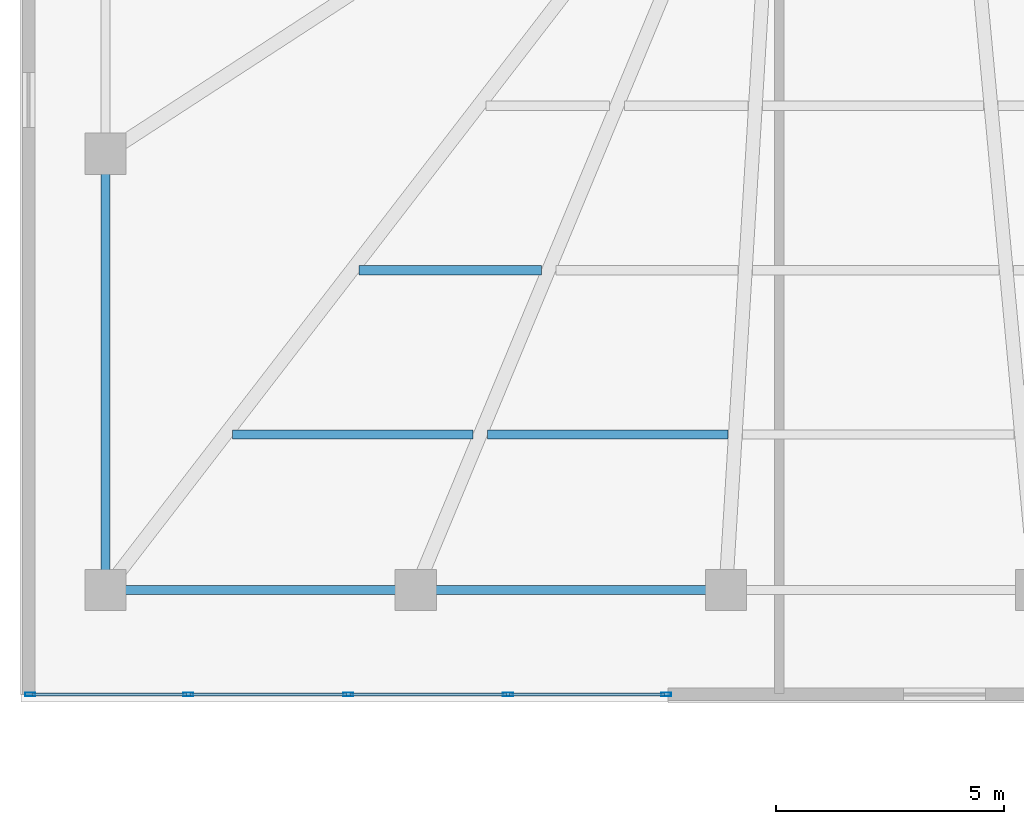
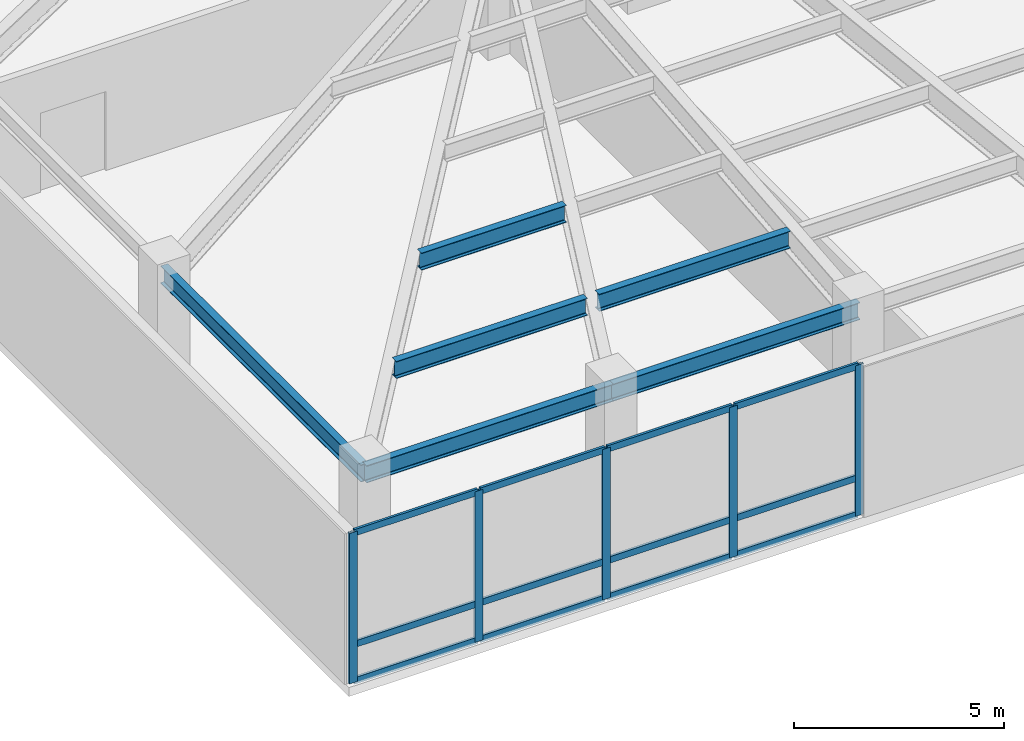
# One storey, part 2 of 15: 17 members, 6 beams, 1 element without a shape of its own.
"""IFC4 building model written with IfcOpenShell, lengths in metres."""

from ifc_helpers import new_model, si_unit, direction, frame, origin, origin_2d, place, context, subcontext, project, spatial, hollow_rectangle, i_section, extrude, material, material_profile, profile_set, type_object, element, aggregate, save


model = new_model("IFC4")

# Units and contexts
model_context = context("Model", 3, precision=1e-05, world=origin(), true_north=direction((0.0, 1.0)))
body_context = subcontext(model_context, "Body", "Model", "MODEL_VIEW")
ifc_project = project(units=[si_unit("LENGTHUNIT", "METRE"), si_unit("AREAUNIT", "SQUARE_METRE"), si_unit("VOLUMEUNIT", "CUBIC_METRE"), si_unit("PLANEANGLEUNIT", "RADIAN"), si_unit("MASSUNIT", "GRAM", prefix="KILO")], contexts=[model_context])

# Site, building, storey
site_placement = place(None, origin())
site = spatial("IfcSite", under=ifc_project, at=site_placement, CompositionType="ELEMENT")
building_placement = place(site_placement, origin())
building = spatial("IfcBuilding", under=site, at=building_placement, Name="Yelkora Congress Tower", CompositionType="ELEMENT")
storey_placement = place(building_placement, frame((0.0, 0.0, 20.39990234375)))
storey = spatial("IfcBuildingStorey", under=building, at=storey_placement, Name="L04", CompositionType="ELEMENT", Elevation=20.39990234375)

# Beams
ifc_material_1 = material(Name="Steel S355J2", Category="steel")
ifc_material_profile_1 = material_profile(ifc_material_1, i_section(OverallWidth=0.199951171875, OverallDepth=0.5, WebThickness=0.01025390625, FlangeThickness=0.01611328125, FilletRadius=0.02099609375, at=origin_2d()), Name="IPE 500")
ifc_profile_set_1 = profile_set([ifc_material_profile_1], Name="Steel S355J2")
beam_type_1 = type_object("IfcBeamType", Name="BM-JOIST-IPE500", PredefinedType="JOIST", material=ifc_profile_set_1)
beam_1_placement = place(storey_placement, frame((7.228759765625, 9.449951171875, 4.130126953125), z_axis=(1.0, 0.0, 0.0), x_axis=(0.0, 1.0, 0.0)))
element("IfcBeam", 1, at=beam_1_placement, inside=storey, type_object=beam_type_1, Name="L04 Composite Floor Joist 1", PredefinedType="JOIST", context=body_context, shape_type="SweptSolid", body=[
    extrude(i_section(OverallWidth=0.199951171875, OverallDepth=0.5, WebThickness=0.01025390625, FlangeThickness=0.01611328125, FilletRadius=0.02099609375, at=origin_2d()), origin(), (0.0, 0.0, 1.0), 5.2646484375),
])
beam_2_placement = place(storey_placement, frame((12.813232421875, 9.449951171875, 4.130126953125), z_axis=(1.0, 0.0, 0.0), x_axis=(0.0, 1.0, 0.0)))
element("IfcBeam", 2, at=beam_2_placement, inside=storey, type_object=beam_type_1, Name="L04 Composite Floor Joist 2", PredefinedType="JOIST", context=body_context, shape_type="SweptSolid", body=[
    extrude(i_section(OverallWidth=0.199951171875, OverallDepth=0.5, WebThickness=0.01025390625, FlangeThickness=0.01611328125, FilletRadius=0.02099609375, at=origin_2d()), origin(), (0.0, 0.0, 1.0), 5.264404296875),
])
beam_3_placement = place(storey_placement, frame((10.001708984375, 13.050048828125, 4.130126953125), z_axis=(1.0, 0.0, 0.0), x_axis=(0.0, 1.0, 0.0)))
element("IfcBeam", 3, at=beam_3_placement, inside=storey, type_object=beam_type_1, Name="L04 Composite Floor Joist 11", PredefinedType="JOIST", context=body_context, shape_type="SweptSolid", body=[
    extrude(i_section(OverallWidth=0.199951171875, OverallDepth=0.5, WebThickness=0.01025390625, FlangeThickness=0.01611328125, FilletRadius=0.02099609375, at=origin_2d()), origin(), (0.0, 0.0, 1.0), 3.988037109375),
])
ifc_material_profile_2 = material_profile(ifc_material_1, i_section(OverallWidth=0.199951171875, OverallDepth=0.5, WebThickness=0.01025390625, FlangeThickness=0.01611328125, FilletRadius=0.02099609375, at=origin_2d()), Name="IPE 500")
ifc_profile_set_2 = profile_set([ifc_material_profile_2], Name="Steel S355J2")
beam_type_2 = type_object("IfcBeamType", Name="BM-SPAN-IPE500B", PredefinedType="BEAM", material=ifc_profile_set_2)
beam_4_placement = place(storey_placement, frame((4.449951171875, 15.60009765625, 4.130126953125), z_axis=(0.0, -1.0, 0.0), x_axis=(1.0, 0.0, 0.0)))
element("IfcBeam", 4, at=beam_4_placement, inside=storey, type_object=beam_type_2, Name="L04 Perimeter Beam 1", PredefinedType="BEAM", context=body_context, shape_type="SweptSolid", body=[
    extrude(i_section(OverallWidth=0.199951171875, OverallDepth=0.5, WebThickness=0.01025390625, FlangeThickness=0.01611328125, FilletRadius=0.02099609375, at=origin_2d()), origin(), (0.0, 0.0, 1.0), 9.550048828125),
])
for number, where, z_axis, x_axis, name in (
    (5, (4.449951171875, 6.050048828125, 4.130126953125), (1.0, 0.0, 0.0), (0.0, 1.0, 0.0), "L04 Perimeter Beam 2"),
    (6, (11.239990234375, 6.050048828125, 4.130126953125), (1.0, 0.0, 0.0), (0.0, 1.0, 0.0), "L04 Perimeter Beam 3"),
):
    element("IfcBeam", number, at=place(storey_placement, frame(where, z_axis=z_axis, x_axis=x_axis)), inside=storey, type_object=beam_type_2, Name=name, PredefinedType="BEAM", context=body_context, shape_type="SweptSolid", body=[
        extrude(i_section(OverallWidth=0.199951171875, OverallDepth=0.5, WebThickness=0.01025390625, FlangeThickness=0.01611328125, FilletRadius=0.02099609375, at=origin_2d()), origin(), (0.0, 0.0, 1.0), 6.7900390625),
    ])

# Curtain wall, members
ifc_material_2 = material(Name="Anodised aluminium and insulated glass", Category="aluminium")
curtain_wall_type = type_object("IfcCurtainWallType", Name="CW-SYS-POD", PredefinedType="NOTDEFINED", material=ifc_material_2)
curtain_wall_placement = place(storey_placement, origin())
curtain_wall = element("IfcCurtainWall", 7, at=curtain_wall_placement, inside=storey, type_object=curtain_wall_type, Name="L04 Podium Curtain Wall West", PredefinedType="NOTDEFINED")
ifc_material_3 = material(Name="Anodised aluminium 6063-T6", Category="aluminium")
ifc_material_profile_3 = material_profile(ifc_material_3, hollow_rectangle(XDim=0.074951171875, YDim=0.219970703125, WallThickness=0.0048828125, at=origin_2d()), Name="ALU 75x220x5")
ifc_profile_set_3 = profile_set([ifc_material_profile_3], Name="Anodised aluminium 6063-T6")
member_type_1 = type_object("IfcMemberType", Name="MEM-ML-POD", PredefinedType="MULLION", material=ifc_profile_set_3)
member_1_placement = place(storey_placement, frame((2.797607421875, 3.760009765625, 0.0), z_axis=(0.0, 0.0, 1.0), x_axis=(0.0, 1.0, 0.0)))
member_1 = element("IfcMember", 8, at=member_1_placement, type_object=member_type_1, Name="CW-POD mullion 1", PredefinedType="MULLION", context=body_context, shape_type="SweptSolid", body=[
    extrude(hollow_rectangle(XDim=0.074951171875, YDim=0.219970703125, WallThickness=0.0048828125, at=origin_2d()), origin(), (0.0, 0.0, 1.0), 4.380126953125),
])
member_2_placement = place(storey_placement, frame((6.260009765625, 3.760009765625, 0.0), z_axis=(0.0, 0.0, 1.0), x_axis=(0.0, 1.0, 0.0)))
member_2 = element("IfcMember", 9, at=member_2_placement, type_object=member_type_1, Name="CW-POD mullion 2", PredefinedType="MULLION", context=body_context, shape_type="SweptSolid", body=[
    extrude(hollow_rectangle(XDim=0.074951171875, YDim=0.219970703125, WallThickness=0.0048828125, at=origin_2d()), origin(), (0.0, 0.0, 1.0), 4.380126953125),
])
member_3_placement = place(storey_placement, frame((9.760009765625, 3.760009765625, 0.0), z_axis=(0.0, 0.0, 1.0), x_axis=(0.0, 1.0, 0.0)))
member_3 = element("IfcMember", 10, at=member_3_placement, type_object=member_type_1, Name="CW-POD mullion 3", PredefinedType="MULLION", context=body_context, shape_type="SweptSolid", body=[
    extrude(hollow_rectangle(XDim=0.074951171875, YDim=0.219970703125, WallThickness=0.0048828125, at=origin_2d()), origin(), (0.0, 0.0, 1.0), 4.380126953125),
])
member_4_placement = place(storey_placement, frame((13.260009765625, 3.760009765625, 0.0), z_axis=(0.0, 0.0, 1.0), x_axis=(0.0, 1.0, 0.0)))
member_4 = element("IfcMember", 11, at=member_4_placement, type_object=member_type_1, Name="CW-POD mullion 4", PredefinedType="MULLION", context=body_context, shape_type="SweptSolid", body=[
    extrude(hollow_rectangle(XDim=0.074951171875, YDim=0.219970703125, WallThickness=0.0048828125, at=origin_2d()), origin(), (0.0, 0.0, 1.0), 4.380126953125),
])
member_5_placement = place(storey_placement, frame((16.722412109375, 3.760009765625, 0.0), z_axis=(0.0, 0.0, 1.0), x_axis=(0.0, 1.0, 0.0)))
member_5 = element("IfcMember", 12, at=member_5_placement, type_object=member_type_1, Name="CW-POD mullion 5", PredefinedType="MULLION", context=body_context, shape_type="SweptSolid", body=[
    extrude(hollow_rectangle(XDim=0.074951171875, YDim=0.219970703125, WallThickness=0.0048828125, at=origin_2d()), origin(), (0.0, 0.0, 1.0), 4.380126953125),
])
ifc_material_profile_4 = material_profile(ifc_material_3, hollow_rectangle(XDim=0.070068359375, YDim=0.18994140625, WallThickness=0.00390625, at=origin_2d()), Name="ALU 70x190x4")
ifc_profile_set_4 = profile_set([ifc_material_profile_4], Name="Anodised aluminium 6063-T6")
member_type_2 = type_object("IfcMemberType", Name="MEM-TR-POD", PredefinedType="USERDEFINED", material=ifc_profile_set_4)
member_6_placement = place(storey_placement, frame((2.8349609375, 3.760009765625, 0.03515625), z_axis=(1.0, 0.0, 0.0), x_axis=(0.0, 1.0, 0.0)))
member_6 = element("IfcMember", 13, at=member_6_placement, type_object=member_type_2, Name="CW-POD transom 1.1", ObjectType="TRANSOM", PredefinedType="USERDEFINED", context=body_context, shape_type="SweptSolid", body=[
    extrude(hollow_rectangle(XDim=0.070068359375, YDim=0.18994140625, WallThickness=0.00390625, at=origin_2d()), origin(), (0.0, 0.0, 1.0), 3.387451171875),
])
member_7_placement = place(storey_placement, frame((2.8349609375, 3.760009765625, 1.10009765625), z_axis=(1.0, 0.0, 0.0), x_axis=(0.0, 1.0, 0.0)))
member_7 = element("IfcMember", 14, at=member_7_placement, type_object=member_type_2, Name="CW-POD transom 1.2", ObjectType="TRANSOM", PredefinedType="USERDEFINED", context=body_context, shape_type="SweptSolid", body=[
    extrude(hollow_rectangle(XDim=0.070068359375, YDim=0.18994140625, WallThickness=0.00390625, at=origin_2d()), origin(), (0.0, 0.0, 1.0), 3.387451171875),
])
member_8_placement = place(storey_placement, frame((2.8349609375, 3.760009765625, 4.34521484375), z_axis=(1.0, 0.0, 0.0), x_axis=(0.0, 1.0, 0.0)))
member_8 = element("IfcMember", 15, at=member_8_placement, type_object=member_type_2, Name="CW-POD transom 1.3", ObjectType="TRANSOM", PredefinedType="USERDEFINED", context=body_context, shape_type="SweptSolid", body=[
    extrude(hollow_rectangle(XDim=0.070068359375, YDim=0.18994140625, WallThickness=0.00390625, at=origin_2d()), origin(), (0.0, 0.0, 1.0), 3.387451171875),
])
member_9_placement = place(storey_placement, frame((6.297607421875, 3.760009765625, 0.03515625), z_axis=(1.0, 0.0, 0.0), x_axis=(0.0, 1.0, 0.0)))
member_9 = element("IfcMember", 16, at=member_9_placement, type_object=member_type_2, Name="CW-POD transom 2.1", ObjectType="TRANSOM", PredefinedType="USERDEFINED", context=body_context, shape_type="SweptSolid", body=[
    extrude(hollow_rectangle(XDim=0.070068359375, YDim=0.18994140625, WallThickness=0.00390625, at=origin_2d()), origin(), (0.0, 0.0, 1.0), 3.4248046875),
])
member_10_placement = place(storey_placement, frame((6.297607421875, 3.760009765625, 1.10009765625), z_axis=(1.0, 0.0, 0.0), x_axis=(0.0, 1.0, 0.0)))
member_10 = element("IfcMember", 17, at=member_10_placement, type_object=member_type_2, Name="CW-POD transom 2.2", ObjectType="TRANSOM", PredefinedType="USERDEFINED", context=body_context, shape_type="SweptSolid", body=[
    extrude(hollow_rectangle(XDim=0.070068359375, YDim=0.18994140625, WallThickness=0.00390625, at=origin_2d()), origin(), (0.0, 0.0, 1.0), 3.4248046875),
])
member_11_placement = place(storey_placement, frame((6.297607421875, 3.760009765625, 4.34521484375), z_axis=(1.0, 0.0, 0.0), x_axis=(0.0, 1.0, 0.0)))
member_11 = element("IfcMember", 18, at=member_11_placement, type_object=member_type_2, Name="CW-POD transom 2.3", ObjectType="TRANSOM", PredefinedType="USERDEFINED", context=body_context, shape_type="SweptSolid", body=[
    extrude(hollow_rectangle(XDim=0.070068359375, YDim=0.18994140625, WallThickness=0.00390625, at=origin_2d()), origin(), (0.0, 0.0, 1.0), 3.4248046875),
])
member_12_placement = place(storey_placement, frame((9.797607421875, 3.760009765625, 0.03515625), z_axis=(1.0, 0.0, 0.0), x_axis=(0.0, 1.0, 0.0)))
member_12 = element("IfcMember", 19, at=member_12_placement, type_object=member_type_2, Name="CW-POD transom 3.1", ObjectType="TRANSOM", PredefinedType="USERDEFINED", context=body_context, shape_type="SweptSolid", body=[
    extrude(hollow_rectangle(XDim=0.070068359375, YDim=0.18994140625, WallThickness=0.00390625, at=origin_2d()), origin(), (0.0, 0.0, 1.0), 3.4248046875),
])
member_13_placement = place(storey_placement, frame((9.797607421875, 3.760009765625, 1.10009765625), z_axis=(1.0, 0.0, 0.0), x_axis=(0.0, 1.0, 0.0)))
member_13 = element("IfcMember", 20, at=member_13_placement, type_object=member_type_2, Name="CW-POD transom 3.2", ObjectType="TRANSOM", PredefinedType="USERDEFINED", context=body_context, shape_type="SweptSolid", body=[
    extrude(hollow_rectangle(XDim=0.070068359375, YDim=0.18994140625, WallThickness=0.00390625, at=origin_2d()), origin(), (0.0, 0.0, 1.0), 3.4248046875),
])
member_14_placement = place(storey_placement, frame((9.797607421875, 3.760009765625, 4.34521484375), z_axis=(1.0, 0.0, 0.0), x_axis=(0.0, 1.0, 0.0)))
member_14 = element("IfcMember", 21, at=member_14_placement, type_object=member_type_2, Name="CW-POD transom 3.3", ObjectType="TRANSOM", PredefinedType="USERDEFINED", context=body_context, shape_type="SweptSolid", body=[
    extrude(hollow_rectangle(XDim=0.070068359375, YDim=0.18994140625, WallThickness=0.00390625, at=origin_2d()), origin(), (0.0, 0.0, 1.0), 3.4248046875),
])
member_15_placement = place(storey_placement, frame((13.297607421875, 3.760009765625, 0.03515625), z_axis=(1.0, 0.0, 0.0), x_axis=(0.0, 1.0, 0.0)))
member_15 = element("IfcMember", 22, at=member_15_placement, type_object=member_type_2, Name="CW-POD transom 4.1", ObjectType="TRANSOM", PredefinedType="USERDEFINED", context=body_context, shape_type="SweptSolid", body=[
    extrude(hollow_rectangle(XDim=0.070068359375, YDim=0.18994140625, WallThickness=0.00390625, at=origin_2d()), origin(), (0.0, 0.0, 1.0), 3.387451171875),
])
member_16_placement = place(storey_placement, frame((13.297607421875, 3.760009765625, 1.10009765625), z_axis=(1.0, 0.0, 0.0), x_axis=(0.0, 1.0, 0.0)))
member_16 = element("IfcMember", 23, at=member_16_placement, type_object=member_type_2, Name="CW-POD transom 4.2", ObjectType="TRANSOM", PredefinedType="USERDEFINED", context=body_context, shape_type="SweptSolid", body=[
    extrude(hollow_rectangle(XDim=0.070068359375, YDim=0.18994140625, WallThickness=0.00390625, at=origin_2d()), origin(), (0.0, 0.0, 1.0), 3.387451171875),
])
member_17_placement = place(storey_placement, frame((13.297607421875, 3.760009765625, 4.34521484375), z_axis=(1.0, 0.0, 0.0), x_axis=(0.0, 1.0, 0.0)))
member_17 = element("IfcMember", 24, at=member_17_placement, type_object=member_type_2, Name="CW-POD transom 4.3", ObjectType="TRANSOM", PredefinedType="USERDEFINED", context=body_context, shape_type="SweptSolid", body=[
    extrude(hollow_rectangle(XDim=0.070068359375, YDim=0.18994140625, WallThickness=0.00390625, at=origin_2d()), origin(), (0.0, 0.0, 1.0), 3.387451171875),
])
aggregate(curtain_wall, [member_1, member_2, member_3, member_4, member_5, member_6, member_7, member_8, member_9, member_10, member_11, member_12, member_13, member_14, member_15, member_16, member_17])

save(model, "model.ifc")
